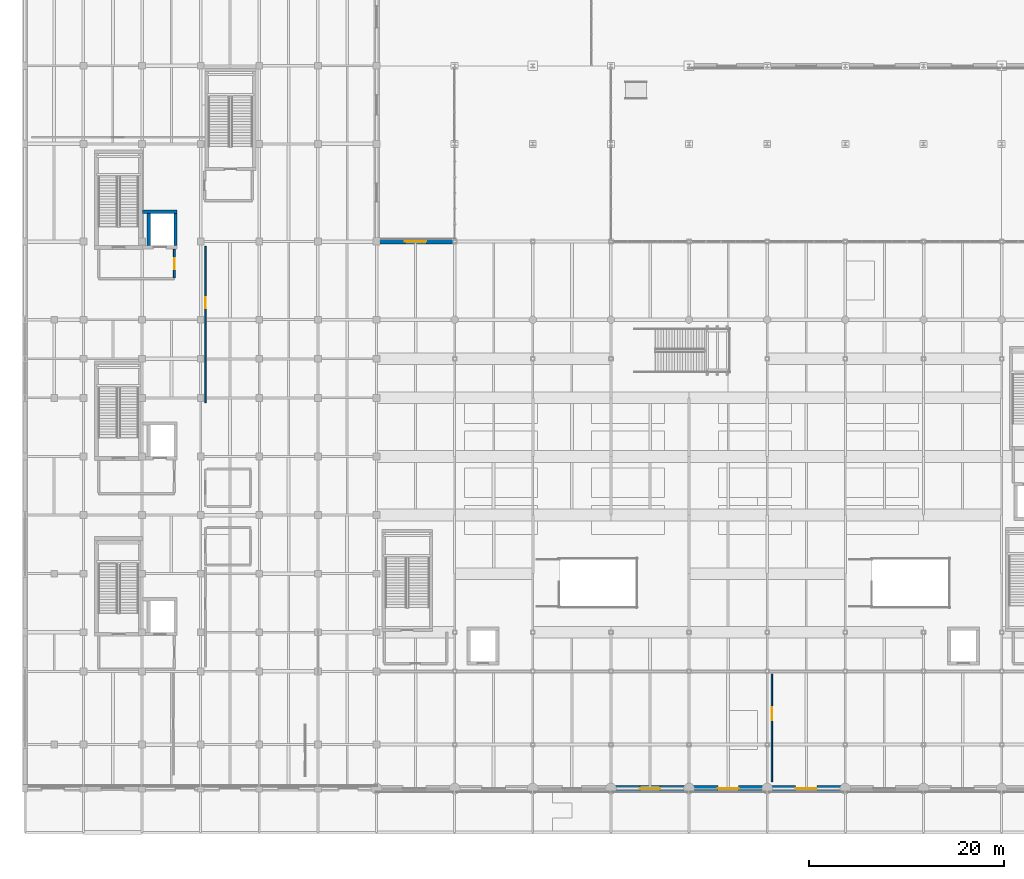
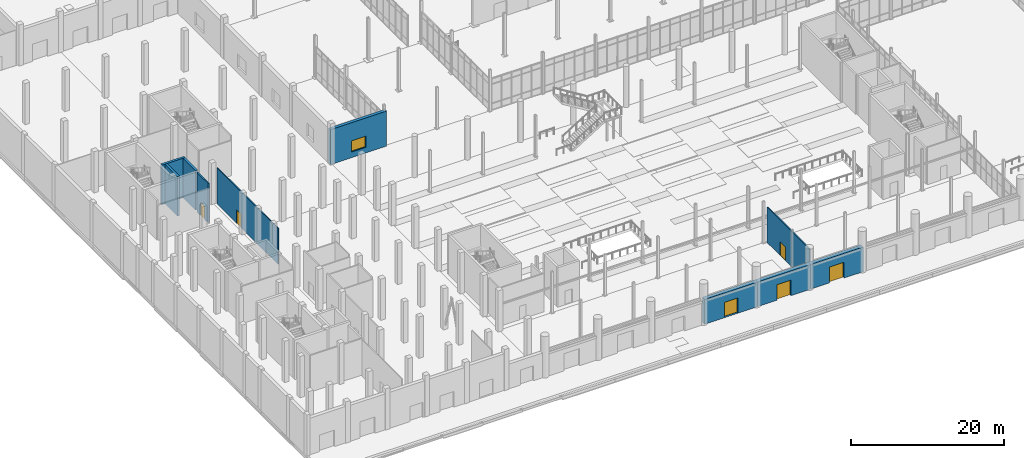
# One storey, part 121 of 140: 10 walls, 6 doors, 1 window, 7 openings.
"""IFC4 building model written with IfcOpenShell, lengths in metres."""

from ifc_helpers import new_model, si_unit, direction, frame, frame_2d, origin, place, context, subcontext, project, spatial, rectangle, extrude, material, layer, layer_set, type_object, element, fill, save


model = new_model("IFC4")

# Units and contexts
model_context = context("Model", 3, precision=1e-05, world=origin(), true_north=direction((0.0, 1.0)))
body_context = subcontext(model_context, "Body", "Model", "MODEL_VIEW")
ifc_project = project(units=[si_unit("LENGTHUNIT", "METRE"), si_unit("AREAUNIT", "SQUARE_METRE"), si_unit("VOLUMEUNIT", "CUBIC_METRE"), si_unit("PLANEANGLEUNIT", "RADIAN"), si_unit("MASSUNIT", "GRAM", prefix="KILO")], contexts=[model_context])

# Site, building, storey
site_placement = place(None, origin())
site = spatial("IfcSite", under=ifc_project, at=site_placement, CompositionType="ELEMENT")
building_placement = place(site_placement, origin())
building = spatial("IfcBuilding", under=site, at=building_placement, Name="Verrall Gate Interchange", CompositionType="ELEMENT")
storey_placement = place(building_placement, origin())
storey = spatial("IfcBuildingStorey", under=building, at=storey_placement, Name="L01", CompositionType="ELEMENT", Elevation=0.0)

# Wall, opening, window
ifc_material_1 = material(Name="Tyndall Dolomitic Limestone Ashlar Cavity Assembly (U=0.18)", Category="masonry")
ifc_layer_1 = layer(ifc_material_1, 0.4599609375)
ifc_layer_set_1 = layer_set([ifc_layer_1], Name="Tyndall Dolomitic Limestone Ashlar Cavity Assembly (U=0.18)")
wall_type_1 = type_object("IfcWallType", Name="EW-02 Exterior Solid Wall 460", PredefinedType="SOLIDWALL", material=ifc_layer_set_1)
wall_1_placement = place(storey_placement, frame((44.25, 56.0, 0.0), z_axis=(0.0, 0.0, 1.0), x_axis=(-1.0, 0.0, 0.0)))
wall_1 = element("IfcWall", 1, at=wall_1_placement, inside=storey, type_object=wall_type_1, Name="L01 Classical Limestone Facade Wall 017", PredefinedType="SOLIDWALL", context=body_context, shape_type="SweptSolid", body=[
    extrude(rectangle(XDim=8.5, YDim=0.4599609375, at=frame_2d((4.25, 0.0))), origin(), (0.0, 0.0, 1.0), 5.60693359375),
])
opening_1_placement = place(wall_1_placement, frame((3.14990234375, 0.0, 0.89990234375)))
opening_1 = element("IfcOpeningElement", 2, at=opening_1_placement, cuts=wall_1, Name="Opening WN-07", PredefinedType="OPENING", context=body_context, shape_type="SweptSolid", body=[
    extrude(rectangle(XDim=2.199951171875, YDim=1.800048828125, at=frame_2d((1.10009765625, 0.89990234375))), frame((0.0, 0.244873046875, 0.0), z_axis=(0.0, -1.0, 0.0), x_axis=(1.0, 0.0, 0.0)), (0.0, 0.0, 1.0), 0.48974609375),
])
ifc_material_2 = material(Name="Triple-Glazed Low-E Argon Bronze-Clad Window Unit (U=1.40)", Category="glass")
window_type = type_object("IfcWindowType", Name="WN-07 Classical Deep-Reveal Window 2200x1800", PartitioningType="SINGLE_PANEL", PredefinedType="WINDOW", material=ifc_material_2)
window_placement = place(opening_1_placement, origin())
window = element("IfcWindow", 3, at=window_placement, inside=storey, type_object=window_type, Name="L01 Classical Window 001 (WN-07)", OverallHeight=1.800048828125, OverallWidth=2.199951171875, PartitioningType="SINGLE_PANEL", PredefinedType="WINDOW", context=body_context, shape_type="SweptSolid", body=[
    extrude(rectangle(XDim=2.199951171875, YDim=1.800048828125, at=frame_2d((1.10009765625, 0.89990234375))), frame((0.0, 0.030029296875, 0.0), z_axis=(0.0, -1.0, 0.0), x_axis=(1.0, 0.0, 0.0)), (0.0, 0.0, 1.0), 0.06005859375),
])
fill(opening_1, window)

# Wall, opening, door
ifc_material_3 = material(Name="Prairie Charcoal Granite Plinth Rainscreen Assembly (U=0.18)", Category="masonry")
ifc_layer_2 = layer(ifc_material_3, 0.6201171875)
ifc_layer_set_2 = layer_set([ifc_layer_2], Name="Prairie Charcoal Granite Plinth Rainscreen Assembly (U=0.18)")
wall_type_2 = type_object("IfcWallType", Name="EW-05 Exterior Solid Wall 620", PredefinedType="SOLIDWALL", material=ifc_layer_set_2)
wall_2_placement = place(storey_placement, frame((59.991943359375, 0.0, 0.0), z_axis=(0.0, 0.0, 1.0), x_axis=(1.0, 0.0, 0.0)))
wall_2 = element("IfcWall", 4, at=wall_2_placement, inside=storey, type_object=wall_type_2, Name="L01 Classical Limestone Facade Wall 010", PredefinedType="SOLIDWALL", context=body_context, shape_type="SweptSolid", body=[
    extrude(rectangle(XDim=8.01611328125, YDim=0.6201171875, at=frame_2d((4.008056640625, 0.0))), origin(), (0.0, 0.0, 1.0), 3.952880859375),
])
opening_2_placement = place(wall_2_placement, frame((2.98291015625, 0.0, 0.0)))
opening_2 = element("IfcOpeningElement", 5, at=opening_2_placement, cuts=wall_2, Name="Opening E10", PredefinedType="OPENING", context=body_context, shape_type="SweptSolid", body=[
    extrude(rectangle(XDim=2.050048828125, YDim=2.449951171875, at=frame_2d((1.02490234375, 1.22509765625))), frame((0.0, 0.324951171875, 0.0), z_axis=(0.0, -1.0, 0.0), x_axis=(1.0, 0.0, 0.0)), (0.0, 0.0, 1.0), 0.64990234375),
])
ifc_material_4 = material(Name="Thermally Broken Bronze-Anodized Aluminium Entrance Assembly", Category="aluminium")
door_type_1 = type_object("IfcDoorType", Name="ED-02 Exterior Entrance Door 2050x2450", OperationType="NOTDEFINED", PredefinedType="DOOR", material=ifc_material_4)
door_1_placement = place(opening_2_placement, origin())
door_1 = element("IfcDoor", 6, at=door_1_placement, inside=storey, type_object=door_type_1, Name="Main Interchange Exit Portal E10", OperationType="DOUBLE_DOOR_SINGLE_SWING", OverallHeight=2.449951171875, OverallWidth=2.050048828125, PredefinedType="DOOR", context=body_context, shape_type="SweptSolid", body=[
    extrude(rectangle(XDim=2.050048828125, YDim=2.449951171875, at=frame_2d((1.02490234375, 1.22509765625))), frame((0.0, 0.02490234375, 0.0), z_axis=(0.0, -1.0, 0.0), x_axis=(1.0, 0.0, 0.0)), (0.0, 0.0, 1.0), 0.050048828125),
])
fill(opening_2, door_1)

wall_3_placement = place(storey_placement, frame((67.991943359375, 0.0, 0.0), z_axis=(0.0, 0.0, 1.0), x_axis=(1.0, 0.0, 0.0)))
wall_3 = element("IfcWall", 7, at=wall_3_placement, inside=storey, type_object=wall_type_2, Name="L01 Classical Limestone Facade Wall 011", PredefinedType="SOLIDWALL", context=body_context, shape_type="SweptSolid", body=[
    extrude(rectangle(XDim=8.01611328125, YDim=0.6201171875, at=frame_2d((4.008056640625, 0.0))), origin(), (0.0, 0.0, 1.0), 3.952880859375),
])
opening_3_placement = place(wall_3_placement, frame((2.947998046875, 0.0, 0.0)))
opening_3 = element("IfcOpeningElement", 8, at=opening_3_placement, cuts=wall_3, Name="Opening E11", PredefinedType="OPENING", context=body_context, shape_type="SweptSolid", body=[
    extrude(rectangle(XDim=2.1201171875, YDim=2.5, at=frame_2d((1.06005859375, 1.25))), frame((0.0, 0.324951171875, 0.0), z_axis=(0.0, -1.0, 0.0), x_axis=(1.0, 0.0, 0.0)), (0.0, 0.0, 1.0), 0.64990234375),
])
ifc_material_5 = material(Name="Thermally Broken Bronze-Anodized Aluminium Entrance Assembly", Category="aluminium")
door_type_2 = type_object("IfcDoorType", Name="ED-03 Exterior Entrance Door 2120x2500", OperationType="NOTDEFINED", PredefinedType="DOOR", material=ifc_material_5)
door_2_placement = place(opening_3_placement, origin())
door_2 = element("IfcDoor", 9, at=door_2_placement, inside=storey, type_object=door_type_2, Name="Main Interchange Exit Portal E11", OperationType="DOUBLE_DOOR_SINGLE_SWING", OverallHeight=2.5, OverallWidth=2.1201171875, PredefinedType="DOOR", context=body_context, shape_type="SweptSolid", body=[
    extrude(rectangle(XDim=2.1201171875, YDim=2.5, at=frame_2d((1.06005859375, 1.25))), frame((0.0, 0.02490234375, 0.0), z_axis=(0.0, -1.0, 0.0), x_axis=(1.0, 0.0, 0.0)), (0.0, 0.0, 1.0), 0.050048828125),
])
fill(opening_3, door_2)

wall_4_placement = place(storey_placement, frame((75.991943359375, 0.0, 0.0), z_axis=(0.0, 0.0, 1.0), x_axis=(1.0, 0.0, 0.0)))
wall_4 = element("IfcWall", 10, at=wall_4_placement, inside=storey, type_object=wall_type_2, Name="L01 Classical Limestone Facade Wall 012", PredefinedType="SOLIDWALL", context=body_context, shape_type="SweptSolid", body=[
    extrude(rectangle(XDim=8.01611328125, YDim=0.6201171875, at=frame_2d((4.008056640625, 0.0))), origin(), (0.0, 0.0, 1.0), 3.952880859375),
])
opening_4_placement = place(wall_4_placement, frame((2.91796875, 0.0, 0.0)))
opening_4 = element("IfcOpeningElement", 11, at=opening_4_placement, cuts=wall_4, Name="Opening E12", PredefinedType="OPENING", context=body_context, shape_type="SweptSolid", body=[
    extrude(rectangle(XDim=2.179931640625, YDim=2.550048828125, at=frame_2d((1.08984375, 1.27490234375))), frame((0.0, 0.324951171875, 0.0), z_axis=(0.0, -1.0, 0.0), x_axis=(1.0, 0.0, 0.0)), (0.0, 0.0, 1.0), 0.64990234375),
])
ifc_material_6 = material(Name="Thermally Broken Bronze-Anodized Aluminium Entrance Assembly", Category="aluminium")
door_type_3 = type_object("IfcDoorType", Name="ED-04 Exterior Entrance Door 2180x2550", OperationType="NOTDEFINED", PredefinedType="DOOR", material=ifc_material_6)
door_3_placement = place(opening_4_placement, origin())
door_3 = element("IfcDoor", 12, at=door_3_placement, inside=storey, type_object=door_type_3, Name="Main Interchange Exit Portal E12", OperationType="DOUBLE_DOOR_SINGLE_SWING", OverallHeight=2.550048828125, OverallWidth=2.179931640625, PredefinedType="DOOR", context=body_context, shape_type="SweptSolid", body=[
    extrude(rectangle(XDim=2.179931640625, YDim=2.550048828125, at=frame_2d((1.08984375, 1.27490234375))), frame((0.0, 0.02490234375, 0.0), z_axis=(0.0, -1.0, 0.0), x_axis=(1.0, 0.0, 0.0)), (0.0, 0.0, 1.0), 0.050048828125),
])
fill(opening_4, door_3)

ifc_material_7 = material(Name="Fire-Rated Type X Gypsum Stud Partition Assembly (60 min)", Category="gypsum")
ifc_layer_3 = layer(ifc_material_7, 0.199951171875)
ifc_layer_set_3 = layer_set([ifc_layer_3], Name="Fire-Rated Type X Gypsum Stud Partition Assembly (60 min)")
wall_type_3 = type_object("IfcWallType", Name="IW-01 Interior Partition Wall 200", PredefinedType="PARTITIONING", material=ifc_layer_set_3)
wall_5_placement = place(storey_placement, frame((15.300048828125, 52.280029296875, 0.0), z_axis=(0.0, 0.0, 1.0), x_axis=(0.0, 1.0, 0.0)))
wall_5 = element("IfcWall", 13, at=wall_5_placement, inside=storey, type_object=wall_type_3, Name="L01 Core C3 Lobby East Rated Wall", PredefinedType="PARTITIONING", context=body_context, shape_type="SweptSolid", body=[
    extrude(rectangle(XDim=2.919921875, YDim=0.199951171875, at=frame_2d((1.4599609375, 0.0))), origin(), (0.0, 0.0, 1.0), 6.320068359375),
])
opening_5_placement = place(wall_5_placement, frame((0.909912109375, 0.0, 0.0)))
opening_5 = element("IfcOpeningElement", 14, at=opening_5_placement, cuts=wall_5, Name="Opening LBD046", PredefinedType="OPENING", context=body_context, shape_type="SweptSolid", body=[
    extrude(rectangle(XDim=1.10009765625, YDim=2.14990234375, at=frame_2d((0.550048828125, 1.074951171875))), frame((0.0, 0.11474609375, 0.0), z_axis=(0.0, -1.0, 0.0), x_axis=(1.0, 0.0, 0.0)), (0.0, 0.0, 1.0), 0.229736328125),
])
ifc_material_8 = material(Name="Hollow-Metal Fire-Rated Door Assembly", Category="metal")
door_type_4 = type_object("IfcDoorType", Name="ID-06 Interior Swing Door 1100x2150", OperationType="NOTDEFINED", PredefinedType="DOOR", material=ifc_material_8)
door_4_placement = place(opening_5_placement, origin())
door_4 = element("IfcDoor", 15, at=door_4_placement, inside=storey, type_object=door_type_4, Name="L01 Core C3 Lobby Fire Door LBD046", OperationType="SINGLE_SWING_RIGHT", OverallHeight=2.14990234375, OverallWidth=1.10009765625, PredefinedType="DOOR", context=body_context, shape_type="SweptSolid", body=[
    extrude(rectangle(XDim=1.10009765625, YDim=2.14990234375, at=frame_2d((0.550048828125, 1.074951171875))), frame((0.0, 0.02490234375, 0.0), z_axis=(0.0, -1.0, 0.0), x_axis=(1.0, 0.0, 0.0)), (0.0, 0.0, 1.0), 0.050048828125),
])
fill(opening_5, door_4)

ifc_material_9 = material(Name="Fire-Rated Type X Gypsum Stud Partition Assembly (60 min)", Category="gypsum")
ifc_layer_4 = layer(ifc_material_9, 0.159912109375)
ifc_layer_set_4 = layer_set([ifc_layer_4], Name="Fire-Rated Type X Gypsum Stud Partition Assembly (60 min)")
wall_type_4 = type_object("IfcWallType", Name="IW-02 Interior Partition Wall 160", PredefinedType="PARTITIONING", material=ifc_layer_set_4)
wall_6_placement = place(storey_placement, frame((76.47998046875, 0.679931640625, 0.0), z_axis=(0.0, 0.0, 1.0), x_axis=(0.0, 1.0, 0.0)))
wall_6 = element("IfcWall", 16, at=wall_6_placement, inside=storey, type_object=wall_type_4, Name="L01 Concourse Travel Retail Arcade Partition 027", PredefinedType="PARTITIONING", context=body_context, shape_type="SweptSolid", body=[
    extrude(rectangle(XDim=11.0400390625, YDim=0.159912109375, at=frame_2d((5.52001953125, 0.0))), origin(), (0.0, 0.0, 1.0), 5.68896484375),
])
opening_6_placement = place(wall_6_placement, frame((6.2919921875, 0.0, 0.0)))
opening_6 = element("IfcOpeningElement", 17, at=opening_6_placement, cuts=wall_6, Name="Opening D020", PredefinedType="OPENING", context=body_context, shape_type="SweptSolid", body=[
    extrude(rectangle(XDim=1.360107421875, YDim=2.199951171875, at=frame_2d((0.68017578125, 1.10009765625))), frame((0.0, 0.0947265625, 0.0), z_axis=(0.0, -1.0, 0.0), x_axis=(1.0, 0.0, 0.0)), (0.0, 0.0, 1.0), 0.189697265625),
])
ifc_material_10 = material(Name="Architectural Solid-Core Birch Acoustic Door Assembly", Category="wood")
door_type_5 = type_object("IfcDoorType", Name="ID-17 Interior Swing Door 1360x2200", OperationType="NOTDEFINED", PredefinedType="DOOR", material=ifc_material_10)
door_5_placement = place(opening_6_placement, origin())
door_5 = element("IfcDoor", 18, at=door_5_placement, inside=storey, type_object=door_type_5, Name="L01 Concourse Travel Retail Arcade Door D020", OperationType="SINGLE_SWING_LEFT", OverallHeight=2.199951171875, OverallWidth=1.360107421875, PredefinedType="DOOR", context=body_context, shape_type="SweptSolid", body=[
    extrude(rectangle(XDim=1.360107421875, YDim=2.199951171875, at=frame_2d((0.68017578125, 1.10009765625))), frame((0.0, 0.02490234375, 0.0), z_axis=(0.0, -1.0, 0.0), x_axis=(1.0, 0.0, 0.0)), (0.0, 0.0, 1.0), 0.050048828125),
])
fill(opening_6, door_5)

ifc_material_11 = material(Name="Acoustic Steel-Stud Partition Assembly", Category="steel")
ifc_layer_5 = layer(ifc_material_11, 0.139892578125)
ifc_layer_set_5 = layer_set([ifc_layer_5], Name="Acoustic Steel-Stud Partition Assembly")
wall_type_5 = type_object("IfcWallType", Name="IW-03 Interior Partition Wall 140", PredefinedType="PARTITIONING", material=ifc_layer_set_5)
wall_7_placement = place(storey_placement, frame((18.47998046875, 39.47998046875, 0.0), z_axis=(0.0, 0.0, 1.0), x_axis=(0.0, 1.0, 0.0)))
wall_7 = element("IfcWall", 19, at=wall_7_placement, inside=storey, type_object=wall_type_5, Name="L01 Transit Security Patrol and First-Aid Suite Partition 032", PredefinedType="PARTITIONING", context=body_context, shape_type="SweptSolid", body=[
    extrude(rectangle(XDim=16.0400390625, YDim=0.139892578125, at=frame_2d((8.02001953125, 0.0))), origin(), (0.0, 0.0, 1.0), 5.760986328125),
])
opening_7_placement = place(wall_7_placement, frame((9.68505859375, 0.0, 0.0)))
opening_7 = element("IfcOpeningElement", 20, at=opening_7_placement, cuts=wall_7, Name="Opening D025", PredefinedType="OPENING", context=body_context, shape_type="SweptSolid", body=[
    extrude(rectangle(XDim=1.139892578125, YDim=2.14990234375, at=frame_2d((0.56982421875, 1.074951171875))), frame((0.0, 0.0849609375, 0.0), z_axis=(0.0, -1.0, 0.0), x_axis=(1.0, 0.0, 0.0)), (0.0, 0.0, 1.0), 0.169677734375),
])
ifc_material_12 = material(Name="Architectural Solid-Core Birch Acoustic Door Assembly", Category="wood")
door_type_6 = type_object("IfcDoorType", Name="ID-14 Interior Swing Door 1140x2150", OperationType="NOTDEFINED", PredefinedType="DOOR", material=ifc_material_12)
door_6_placement = place(opening_7_placement, origin())
door_6 = element("IfcDoor", 21, at=door_6_placement, inside=storey, type_object=door_type_6, Name="L01 Transit Security Patrol and First-Aid Suite Door D025", OperationType="SINGLE_SWING_RIGHT", OverallHeight=2.14990234375, OverallWidth=1.139892578125, PredefinedType="DOOR", context=body_context, shape_type="SweptSolid", body=[
    extrude(rectangle(XDim=1.139892578125, YDim=2.14990234375, at=frame_2d((0.56982421875, 1.074951171875))), frame((0.0, 0.02490234375, 0.0), z_axis=(0.0, -1.0, 0.0), x_axis=(1.0, 0.0, 0.0)), (0.0, 0.0, 1.0), 0.050048828125),
])
fill(opening_7, door_6)

# Walls
ifc_material_13 = material(Name="Concrete CSA A23.1 40 MPa (Class N)", Category="concrete")
ifc_layer_6 = layer(ifc_material_13, 0.340087890625)
ifc_layer_set_6 = layer_set([ifc_layer_6], Name="Concrete CSA A23.1 40 MPa (Class N)")
wall_type_6 = type_object("IfcWallType", Name="SW-02 Core Shear Wall 340", PredefinedType="SHEAR", material=ifc_layer_set_6)
wall_8_placement = place(storey_placement, frame((15.590087890625, 59.070068359375, 0.0), z_axis=(0.0, 0.0, 1.0), x_axis=(-1.0, 0.0, 0.0)))
element("IfcWall", 22, at=wall_8_placement, inside=storey, type_object=wall_type_6, Name="L01 Elevator EL-08 North Shaft Wall", PredefinedType="SHEAR", context=body_context, shape_type="SweptSolid", body=[
    extrude(rectangle(XDim=3.5400390625, YDim=0.340087890625, at=frame_2d((1.77001953125, 0.0))), origin(), (0.0, 0.0, 1.0), 6.320068359375),
])
for number, where, z_axis, x_axis, name in (
    (23, (12.679931640625, 58.89990234375, 0.0), (0.0, 0.0, 1.0), (0.0, -1.0, 0.0), "L01 Elevator EL-08 West Shaft Wall"),
    (24, (15.419921875, 55.60009765625, 0.0), (0.0, 0.0, 1.0), (0.0, 1.0, 0.0), "L01 Elevator EL-08 East Shaft Wall"),
):
    element("IfcWall", number, at=place(storey_placement, frame(where, z_axis=z_axis, x_axis=x_axis)), inside=storey, type_object=wall_type_6, Name=name, PredefinedType="SHEAR", context=body_context, shape_type="SweptSolid", body=[
        extrude(rectangle(XDim=3.2998046875, YDim=0.340087890625, at=frame_2d((1.64990234375, 0.0))), origin(), (0.0, 0.0, 1.0), 6.320068359375),
    ])

save(model, "model.ifc")
